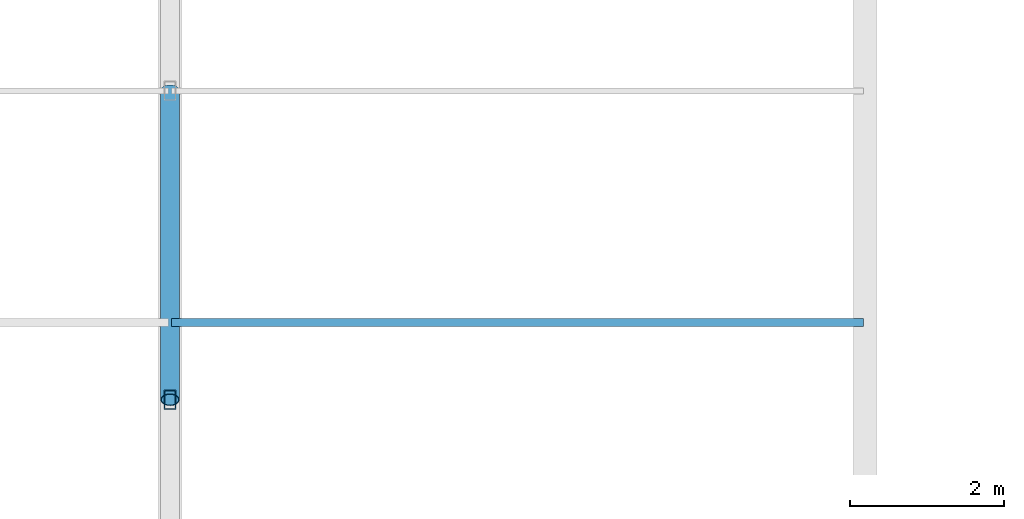
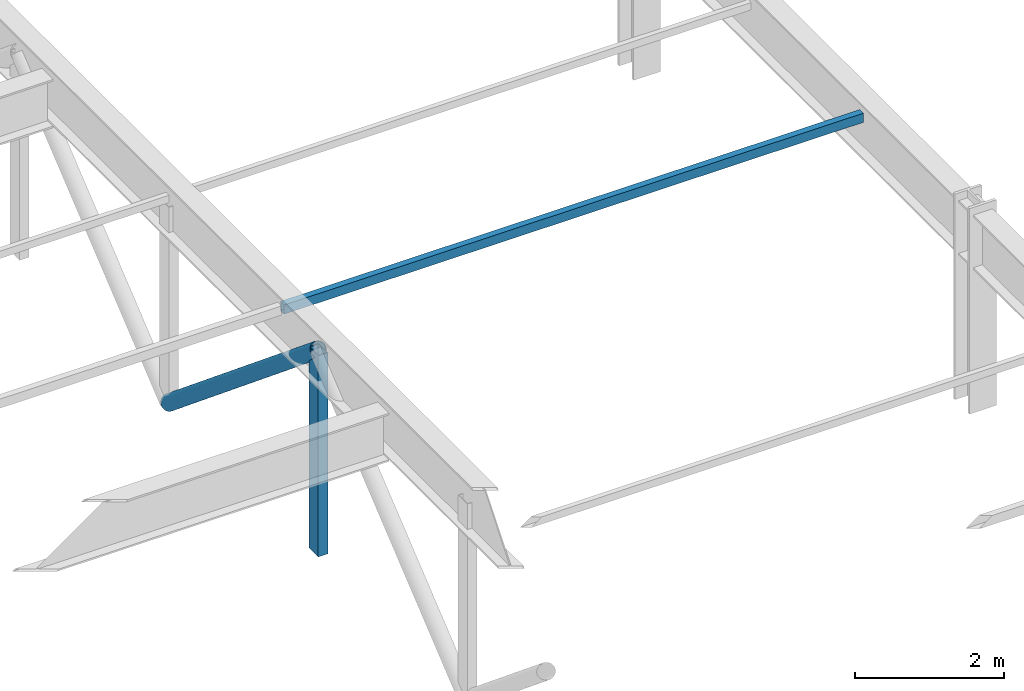
# One storey, part 59 of 91: 3 members.
"""IFC4 building model written with IfcOpenShell, lengths in metres."""

from ifc_helpers import new_model, si_unit, direction, frame, origin, origin_2d, place, context, subcontext, project, spatial, hollow_rectangle, hollow_circle, extrude, material, material_profile, profile_set, type_object, element, save


model = new_model("IFC4")

# Units and contexts
model_context = context("Model", 3, precision=1e-05, world=origin(), true_north=direction((0.0, 1.0)))
body_context = subcontext(model_context, "Body", "Model", "MODEL_VIEW")
ifc_project = project(units=[si_unit("LENGTHUNIT", "METRE"), si_unit("AREAUNIT", "SQUARE_METRE"), si_unit("VOLUMEUNIT", "CUBIC_METRE"), si_unit("PLANEANGLEUNIT", "RADIAN"), si_unit("MASSUNIT", "GRAM", prefix="KILO")], contexts=[model_context])

# Site, building, storey
site_placement = place(None, origin())
site = spatial("IfcSite", under=ifc_project, at=site_placement, CompositionType="ELEMENT")
building_placement = place(site_placement, origin())
building = spatial("IfcBuilding", under=site, at=building_placement, Name="Palais des Congres Ocreval", CompositionType="ELEMENT")
storey_placement = place(building_placement, frame((0.0, 0.0, 8.159912109375)))
storey = spatial("IfcBuildingStorey", under=building, at=storey_placement, Name="L02", CompositionType="ELEMENT", Elevation=8.159912109375)

# Members
ifc_material = material(Name="Steel S355", Category="steel")
ifc_material_profile_1 = material_profile(ifc_material, hollow_circle(Radius=0.122314453125, WallThickness=0.012451171875, at=origin_2d()), Name="CHS 244.5x12.5")
ifc_profile_set_1 = profile_set([ifc_material_profile_1], Name="Steel S355")
member_type_1 = type_object("IfcMemberType", Name="Diagonal Brace CHS 244.5x12.5 Steel S355", PredefinedType="BRACE", material=ifc_profile_set_1)
member_1_placement = place(storey_placement, frame((144.0, 92.0, 2.7900390625), z_axis=(0.0, 0.772316531173, -0.635237889044), x_axis=(-1.0, 0.0, 0.0)))
element("IfcMember", 1, at=member_1_placement, inside=storey, type_object=member_type_1, Name="Transfer Truss Web Diagonal V2-144-6", PredefinedType="BRACE", context=body_context, shape_type="SweptSolid", body=[
    extrude(hollow_circle(Radius=0.122314453125, WallThickness=0.012451171875, at=origin_2d()), origin(), (0.0, 0.0, 1.0), 5.17919921875),
])
ifc_material_profile_2 = material_profile(ifc_material, hollow_rectangle(XDim=0.10009765625, YDim=0.14990234375, WallThickness=0.008056640625, at=origin_2d()), Name="RHS 150x100x8")
ifc_profile_set_2 = profile_set([ifc_material_profile_2], Name="Steel S355")
member_type_2 = type_object("IfcMemberType", Name="Roof Purlin RHS 150x100x8 Steel S355", PredefinedType="PURLIN", material=ifc_profile_set_2)
member_2_placement = place(storey_placement, frame((144.02001953125, 93.0, 2.860107421875), z_axis=(1.0, 0.0, 0.0), x_axis=(0.0, 1.0, 0.0)))
element("IfcMember", 2, at=member_2_placement, inside=storey, type_object=member_type_2, Name="Sawtooth Roof Purlin PU04", PredefinedType="PURLIN", context=body_context, shape_type="SweptSolid", body=[
    extrude(hollow_rectangle(XDim=0.10009765625, YDim=0.14990234375, WallThickness=0.008056640625, at=origin_2d()), origin(), (0.0, 0.0, 1.0), 8.9599609375),
])
ifc_material_profile_3 = material_profile(ifc_material, hollow_rectangle(XDim=0.14990234375, YDim=0.25, WallThickness=0.012451171875, at=origin_2d()), Name="RHS 250x150x12.5")
ifc_profile_set_3 = profile_set([ifc_material_profile_3], Name="Steel S355")
member_type_3 = type_object("IfcMemberType", Name="Truss Strut RHS 250x150x12.5 Steel S355", PredefinedType="STRUT", material=ifc_profile_set_3)
member_3_placement = place(storey_placement, frame((144.0, 92.0, -0.5), z_axis=(0.0, 0.0, 1.0), x_axis=(1.0, 0.0, 0.0)))
element("IfcMember", 3, at=member_3_placement, inside=storey, type_object=member_type_3, Name="Transfer Truss Vertical Post V2-144-5", PredefinedType="STRUT", context=body_context, shape_type="SweptSolid", body=[
    extrude(hollow_rectangle(XDim=0.14990234375, YDim=0.25, WallThickness=0.012451171875, at=origin_2d()), origin(), (0.0, 0.0, 1.0), 3.2900390625),
])

save(model, "model.ifc")
